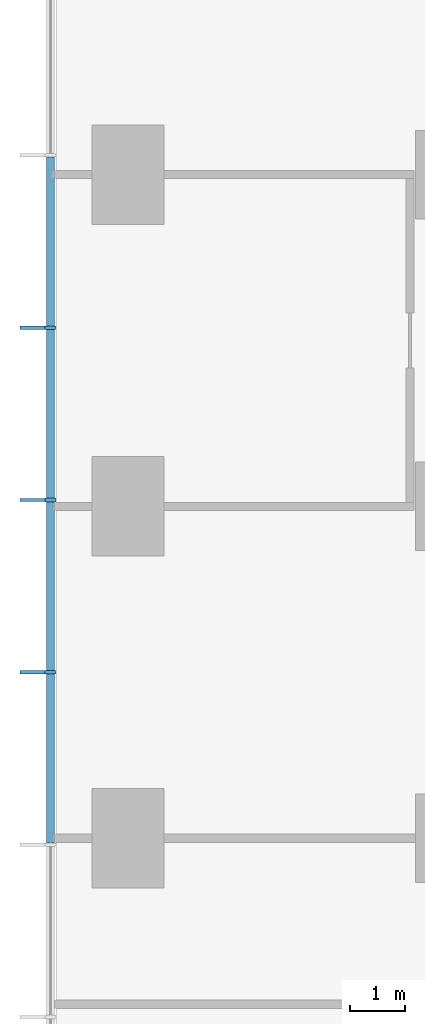
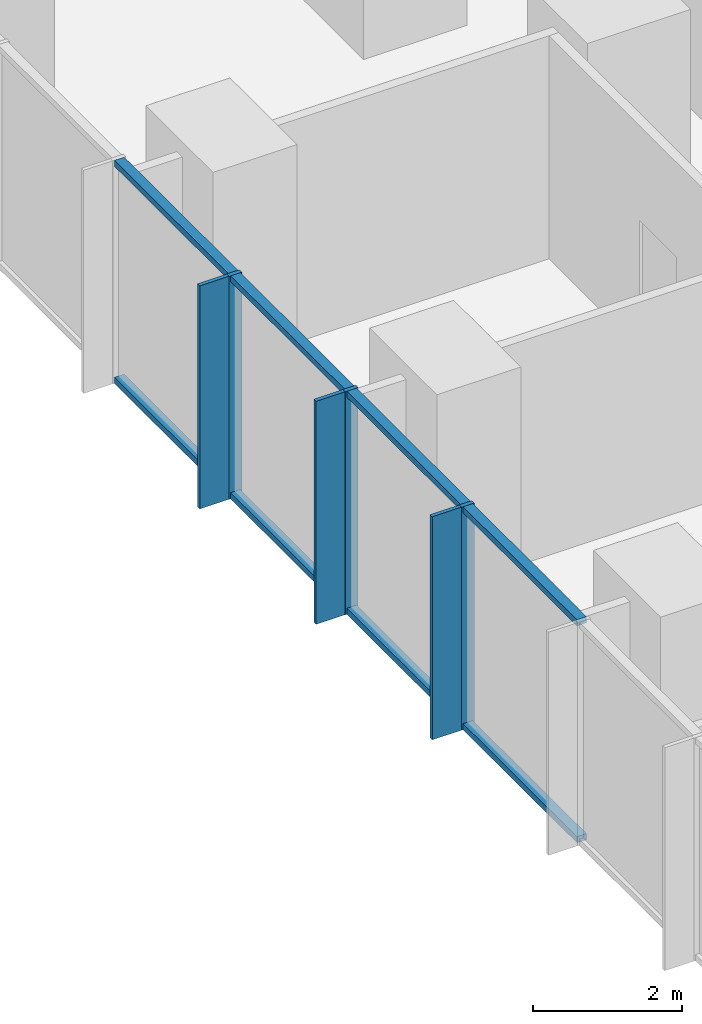
# One storey, part 3 of 12: 14 members, 1 element without a shape of its own.
"""IFC4 building model written with IfcOpenShell, lengths in metres."""

from ifc_helpers import new_model, si_unit, direction, frame, origin, origin_2d, place, context, subcontext, project, spatial, rectangle, extrude, material, layer, layer_set, material_profile, profile_set, type_object, element, aggregate, save


model = new_model("IFC4")

# Units and contexts
model_context = context("Model", 3, precision=1e-05, world=origin(), true_north=direction((0.0, 1.0)))
body_context = subcontext(model_context, "Body", "Model", "MODEL_VIEW")
ifc_project = project(units=[si_unit("LENGTHUNIT", "METRE"), si_unit("AREAUNIT", "SQUARE_METRE"), si_unit("VOLUMEUNIT", "CUBIC_METRE"), si_unit("PLANEANGLEUNIT", "RADIAN"), si_unit("MASSUNIT", "GRAM", prefix="KILO")], contexts=[model_context])

# Site, building, storey
site_placement = place(None, origin())
site = spatial("IfcSite", under=ifc_project, at=site_placement, CompositionType="ELEMENT")
building_placement = place(site_placement, origin())
building = spatial("IfcBuilding", under=site, at=building_placement, Name="Highveld Stack Headquarters", CompositionType="ELEMENT")
storey_placement = place(building_placement, frame((0.0, 0.0, 160.10009765625)))
storey = spatial("IfcBuildingStorey", under=building, at=storey_placement, Name="L39", CompositionType="ELEMENT", Elevation=160.10009765625)

# Curtain wall, members
ifc_material_1 = material(Name="Aluminium bronze anodised", Category="aluminium")
ifc_layer = layer(ifc_material_1, 0.199951171875)
ifc_layer_set = layer_set([ifc_layer], Name="Aluminium bronze anodised")
curtain_wall_type = type_object("IfcCurtainWallType", Name="CW1 TOWER UNITISED CURTAIN WALL", PredefinedType="NOTDEFINED", material=ifc_layer_set)
curtain_wall_placement = place(storey_placement, origin())
curtain_wall = element("IfcCurtainWall", 1, at=curtain_wall_placement, inside=storey, type_object=curtain_wall_type, Name="Curtain wall CW1 L39 W", PredefinedType="NOTDEFINED")
ifc_material_2 = material(Name="Aluminium bronze anodised", Category="aluminium")
ifc_material_profile_1 = material_profile(ifc_material_2, rectangle(XDim=0.449951171875, YDim=0.06005859375, at=origin_2d()), Name="FIN 450x60")
ifc_profile_set_1 = profile_set([ifc_material_profile_1], Name="Aluminium bronze anodised")
member_type_1 = type_object("IfcMemberType", Name="CW1 BRONZE FIN 450x60", PredefinedType="USERDEFINED", material=ifc_profile_set_1)
member_1_placement = place(storey_placement, frame((-19.72509765625, 9.23193359375, 0.0), z_axis=(0.0, 0.0, 1.0), x_axis=(1.0, 0.0, 0.0)))
member_1 = element("IfcMember", 2, at=member_1_placement, type_object=member_type_1, Name="CW1 fin L39 4", ObjectType="FIN", PredefinedType="USERDEFINED", context=body_context, shape_type="SweptSolid", body=[
    extrude(rectangle(XDim=0.449951171875, YDim=0.06005859375, at=origin_2d()), origin(), (0.0, 0.0, 1.0), 3.64990234375),
])
member_2_placement = place(storey_placement, frame((-19.72509765625, 6.115966796875, 0.0), z_axis=(0.0, 0.0, 1.0), x_axis=(1.0, 0.0, 0.0)))
member_2 = element("IfcMember", 3, at=member_2_placement, type_object=member_type_1, Name="CW1 fin L39 5", ObjectType="FIN", PredefinedType="USERDEFINED", context=body_context, shape_type="SweptSolid", body=[
    extrude(rectangle(XDim=0.449951171875, YDim=0.06005859375, at=origin_2d()), origin(), (0.0, 0.0, 1.0), 3.64990234375),
])
member_3_placement = place(storey_placement, frame((-19.72509765625, 3.0, 0.0), z_axis=(0.0, 0.0, 1.0), x_axis=(1.0, 0.0, 0.0)))
member_3 = element("IfcMember", 4, at=member_3_placement, type_object=member_type_1, Name="CW1 fin L39 6", ObjectType="FIN", PredefinedType="USERDEFINED", context=body_context, shape_type="SweptSolid", body=[
    extrude(rectangle(XDim=0.449951171875, YDim=0.06005859375, at=origin_2d()), origin(), (0.0, 0.0, 1.0), 3.64990234375),
])
ifc_material_3 = material(Name="Aluminium bronze anodised", Category="aluminium")
ifc_material_profile_2 = material_profile(ifc_material_3, rectangle(XDim=0.199951171875, YDim=0.06494140625, at=origin_2d()), Name="CW1 MULLION 65x200")
ifc_profile_set_2 = profile_set([ifc_material_profile_2], Name="Aluminium bronze anodised")
member_type_2 = type_object("IfcMemberType", Name="CW1 MULLION 65x200", PredefinedType="MULLION", material=ifc_profile_set_2)
member_4_placement = place(storey_placement, frame((-19.39990234375, 9.23193359375, 0.0), z_axis=(0.0, 0.0, 1.0), x_axis=(1.0, 0.0, 0.0)))
member_4 = element("IfcMember", 5, at=member_4_placement, type_object=member_type_2, Name="CW1 mullion L39 4", PredefinedType="MULLION", context=body_context, shape_type="SweptSolid", body=[
    extrude(rectangle(XDim=0.199951171875, YDim=0.06494140625, at=origin_2d()), origin(), (0.0, 0.0, 1.0), 3.64990234375),
])
member_5_placement = place(storey_placement, frame((-19.39990234375, 6.115966796875, 0.0), z_axis=(0.0, 0.0, 1.0), x_axis=(1.0, 0.0, 0.0)))
member_5 = element("IfcMember", 6, at=member_5_placement, type_object=member_type_2, Name="CW1 mullion L39 5", PredefinedType="MULLION", context=body_context, shape_type="SweptSolid", body=[
    extrude(rectangle(XDim=0.199951171875, YDim=0.06494140625, at=origin_2d()), origin(), (0.0, 0.0, 1.0), 3.64990234375),
])
member_6_placement = place(storey_placement, frame((-19.39990234375, 3.0, 0.0), z_axis=(0.0, 0.0, 1.0), x_axis=(1.0, 0.0, 0.0)))
member_6 = element("IfcMember", 7, at=member_6_placement, type_object=member_type_2, Name="CW1 mullion L39 6", PredefinedType="MULLION", context=body_context, shape_type="SweptSolid", body=[
    extrude(rectangle(XDim=0.199951171875, YDim=0.06494140625, at=origin_2d()), origin(), (0.0, 0.0, 1.0), 3.64990234375),
])
ifc_material_4 = material(Name="Aluminium bronze anodised", Category="aluminium")
ifc_material_profile_3 = material_profile(ifc_material_4, rectangle(XDim=0.14990234375, YDim=0.10009765625, at=origin_2d()), Name="CW1 TRANSOM 150x100")
ifc_profile_set_3 = profile_set([ifc_material_profile_3], Name="Aluminium bronze anodised")
member_type_3 = type_object("IfcMemberType", Name="CW1 STACK TRANSOM 150x100", PredefinedType="USERDEFINED", material=ifc_profile_set_3)
member_7_placement = place(storey_placement, frame((-19.39990234375, 12.3154296875, 0.0498046875), z_axis=(0.0, -1.0, 0.0), x_axis=(1.0, 0.0, 0.0)))
member_7 = element("IfcMember", 8, at=member_7_placement, type_object=member_type_3, Name="CW1 transom L39 3.1", ObjectType="TRANSOM", PredefinedType="USERDEFINED", context=body_context, shape_type="SweptSolid", body=[
    extrude(rectangle(XDim=0.14990234375, YDim=0.10009765625, at=origin_2d()), origin(), (0.0, 0.0, 1.0), 3.051025390625),
])
member_8_placement = place(storey_placement, frame((-19.39990234375, 12.3154296875, 3.599853515625), z_axis=(0.0, -1.0, 0.0), x_axis=(1.0, 0.0, 0.0)))
member_8 = element("IfcMember", 9, at=member_8_placement, type_object=member_type_3, Name="CW1 transom L39 3.2", ObjectType="TRANSOM", PredefinedType="USERDEFINED", context=body_context, shape_type="SweptSolid", body=[
    extrude(rectangle(XDim=0.14990234375, YDim=0.10009765625, at=origin_2d()), origin(), (0.0, 0.0, 1.0), 3.051025390625),
])
member_9_placement = place(storey_placement, frame((-19.39990234375, 9.199462890625, 0.0498046875), z_axis=(0.0, -1.0, 0.0), x_axis=(1.0, 0.0, 0.0)))
member_9 = element("IfcMember", 10, at=member_9_placement, type_object=member_type_3, Name="CW1 transom L39 4.1", ObjectType="TRANSOM", PredefinedType="USERDEFINED", context=body_context, shape_type="SweptSolid", body=[
    extrude(rectangle(XDim=0.14990234375, YDim=0.10009765625, at=origin_2d()), origin(), (0.0, 0.0, 1.0), 3.051025390625),
])
member_10_placement = place(storey_placement, frame((-19.39990234375, 9.199462890625, 3.599853515625), z_axis=(0.0, -1.0, 0.0), x_axis=(1.0, 0.0, 0.0)))
member_10 = element("IfcMember", 11, at=member_10_placement, type_object=member_type_3, Name="CW1 transom L39 4.2", ObjectType="TRANSOM", PredefinedType="USERDEFINED", context=body_context, shape_type="SweptSolid", body=[
    extrude(rectangle(XDim=0.14990234375, YDim=0.10009765625, at=origin_2d()), origin(), (0.0, 0.0, 1.0), 3.051025390625),
])
member_11_placement = place(storey_placement, frame((-19.39990234375, 6.08349609375, 0.0498046875), z_axis=(0.0, -1.0, 0.0), x_axis=(1.0, 0.0, 0.0)))
member_11 = element("IfcMember", 12, at=member_11_placement, type_object=member_type_3, Name="CW1 transom L39 5.1", ObjectType="TRANSOM", PredefinedType="USERDEFINED", context=body_context, shape_type="SweptSolid", body=[
    extrude(rectangle(XDim=0.14990234375, YDim=0.10009765625, at=origin_2d()), origin(), (0.0, 0.0, 1.0), 3.051025390625),
])
member_12_placement = place(storey_placement, frame((-19.39990234375, 6.08349609375, 3.599853515625), z_axis=(0.0, -1.0, 0.0), x_axis=(1.0, 0.0, 0.0)))
member_12 = element("IfcMember", 13, at=member_12_placement, type_object=member_type_3, Name="CW1 transom L39 5.2", ObjectType="TRANSOM", PredefinedType="USERDEFINED", context=body_context, shape_type="SweptSolid", body=[
    extrude(rectangle(XDim=0.14990234375, YDim=0.10009765625, at=origin_2d()), origin(), (0.0, 0.0, 1.0), 3.051025390625),
])
member_13_placement = place(storey_placement, frame((-19.39990234375, 2.967529296875, 0.0498046875), z_axis=(0.0, -1.0, 0.0), x_axis=(1.0, 0.0, 0.0)))
member_13 = element("IfcMember", 14, at=member_13_placement, type_object=member_type_3, Name="CW1 transom L39 6.1", ObjectType="TRANSOM", PredefinedType="USERDEFINED", context=body_context, shape_type="SweptSolid", body=[
    extrude(rectangle(XDim=0.14990234375, YDim=0.10009765625, at=origin_2d()), origin(), (0.0, 0.0, 1.0), 3.051025390625),
])
member_14_placement = place(storey_placement, frame((-19.39990234375, 2.967529296875, 3.599853515625), z_axis=(0.0, -1.0, 0.0), x_axis=(1.0, 0.0, 0.0)))
member_14 = element("IfcMember", 15, at=member_14_placement, type_object=member_type_3, Name="CW1 transom L39 6.2", ObjectType="TRANSOM", PredefinedType="USERDEFINED", context=body_context, shape_type="SweptSolid", body=[
    extrude(rectangle(XDim=0.14990234375, YDim=0.10009765625, at=origin_2d()), origin(), (0.0, 0.0, 1.0), 3.051025390625),
])
aggregate(curtain_wall, [member_4, member_1, member_5, member_2, member_6, member_3, member_7, member_8, member_9, member_10, member_11, member_12, member_13, member_14])

save(model, "model.ifc")
